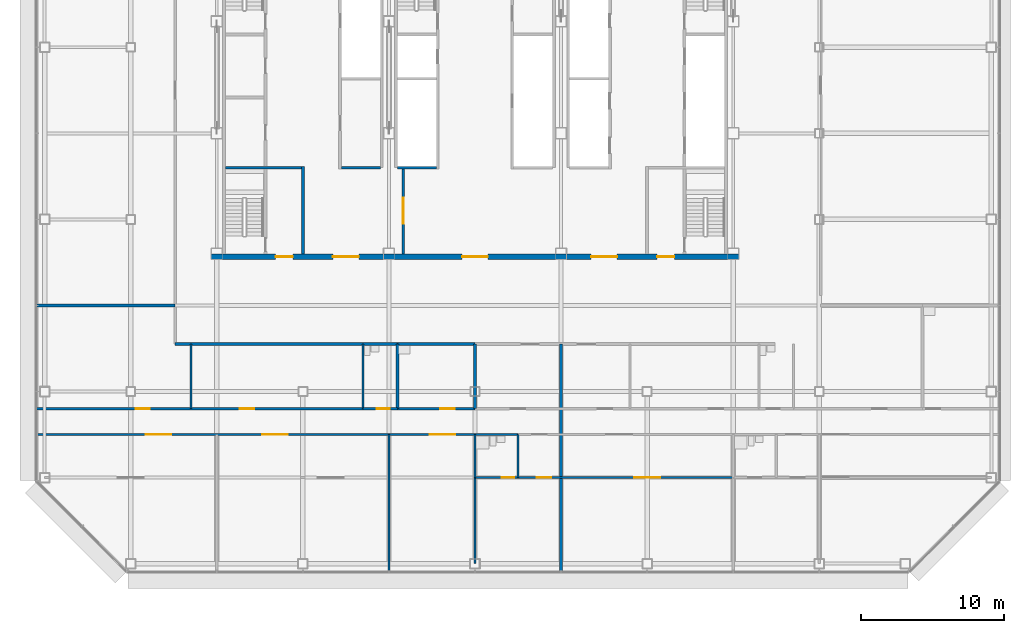
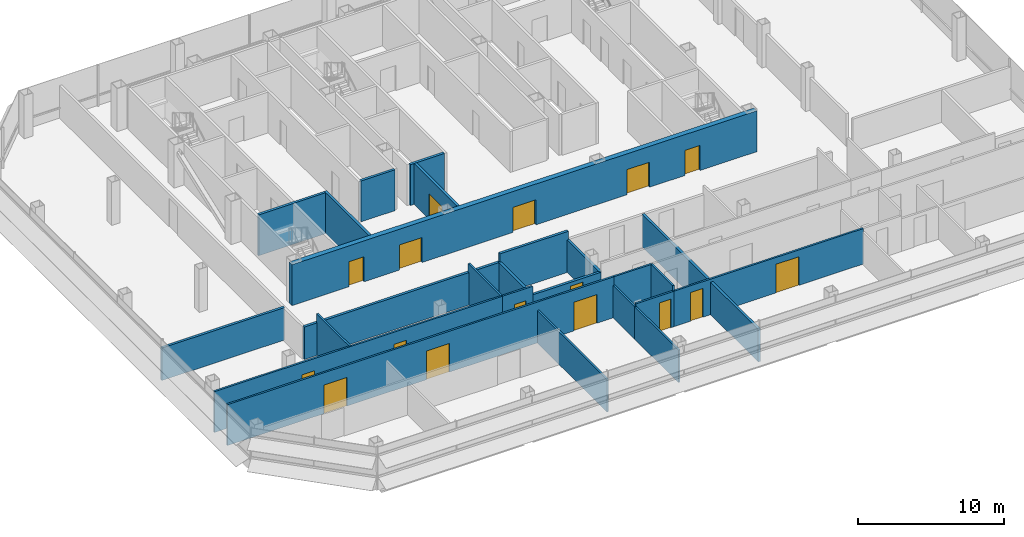
# One storey, part 19 of 24: 25 walls, 16 doors, 16 openings.
"""IFC4 building model written with IfcOpenShell, lengths in metres."""

from ifc_helpers import new_model, si_unit, direction, frame, frame_2d, origin, place, context, subcontext, project, spatial, rectangle, extrude, material, layer, layer_set, type_object, element, fill, save


model = new_model("IFC4")

# Units and contexts
model_context = context("Model", 3, precision=1e-05, world=origin(), true_north=direction((0.0, 1.0)))
body_context = subcontext(model_context, "Body", "Model", "MODEL_VIEW")
ifc_project = project(units=[si_unit("LENGTHUNIT", "METRE"), si_unit("AREAUNIT", "SQUARE_METRE"), si_unit("VOLUMEUNIT", "CUBIC_METRE"), si_unit("PLANEANGLEUNIT", "RADIAN"), si_unit("MASSUNIT", "GRAM", prefix="KILO")], contexts=[model_context])

# Site, building, storey
site_placement = place(None, origin())
site = spatial("IfcSite", under=ifc_project, at=site_placement, CompositionType="ELEMENT")
building_placement = place(site_placement, origin())
building = spatial("IfcBuilding", under=site, at=building_placement, Name="Sorahane Residences", CompositionType="ELEMENT")
storey_placement = place(building_placement, frame((0.0, 0.0, 174.39990234375)))
storey = spatial("IfcBuildingStorey", under=building, at=storey_placement, Name="L40", CompositionType="ELEMENT", Elevation=174.39990234375)

# Walls
ifc_material_1 = material(Name="Concrete blockwork C20 wall", Category="masonry")
ifc_layer_1 = layer(ifc_material_1, 0.199951171875)
ifc_layer_set_1 = layer_set([ifc_layer_1], Name="Corridor wall 200 EI 120")
wall_type_1 = type_object("IfcWallType", Name="Corridor wall 200 EI 120", PredefinedType="SOLIDWALL", material=ifc_layer_set_1)
wall_1_placement = place(storey_placement, frame((3.10009765625, 15.300048828125, 0.0), z_axis=(0.0, 0.0, 1.0), x_axis=(1.0, 0.0, 0.0)))
element("IfcWall", 1, at=wall_1_placement, inside=storey, type_object=wall_type_1, Name="L40 corridor wall", PredefinedType="SOLIDWALL", context=body_context, shape_type="SweptSolid", body=[
    extrude(rectangle(XDim=15.5, YDim=0.199951171875, at=frame_2d((7.75, 0.0))), origin(), (0.0, 0.0, 1.0), 2.72021484375),
])
wall_2_placement = place(storey_placement, frame((-6.60009765625, 18.0, 0.0), z_axis=(0.0, 0.0, 1.0), x_axis=(1.0, 0.0, 0.0)))
element("IfcWall", 2, at=wall_2_placement, inside=storey, type_object=wall_type_1, Name="L40 corridor wall", PredefinedType="SOLIDWALL", context=body_context, shape_type="SweptSolid", body=[
    extrude(rectangle(XDim=9.7001953125, YDim=0.199951171875, at=frame_2d((4.85009765625, 0.0))), origin(), (0.0, 0.0, 1.0), 2.72021484375),
])
ifc_material_2 = material(Name="Concrete C30", Category="concrete")
ifc_layer_2 = layer(ifc_material_2, 0.199951171875)
ifc_layer_set_2 = layer_set([ifc_layer_2], Name="Front room wall 200 EI 120")
wall_type_2 = type_object("IfcWallType", Name="Front room wall 200 EI 120", PredefinedType="PARTITIONING", material=ifc_layer_set_2)
wall_3_placement = place(storey_placement, frame((12.0, 21.60009765625, 0.0), z_axis=(0.0, 0.0, 1.0), x_axis=(0.0, 1.0, 0.0)))
element("IfcWall", 3, at=wall_3_placement, inside=storey, type_object=wall_type_2, Name="L40 front room wall", PredefinedType="PARTITIONING", context=body_context, shape_type="SweptSolid", body=[
    extrude(rectangle(XDim=6.099853515625, YDim=0.199951171875, at=frame_2d((3.0498046875, 0.0))), origin(), (0.0, 0.0, 1.0), 3.420166015625),
])
ifc_material_3 = material(Name="Concrete blockwork C20 wall", Category="masonry")
ifc_layer_3 = layer(ifc_material_3, 0.199951171875)
ifc_layer_set_3 = layer_set([ifc_layer_3], Name="Kitchen wall 200 EI 180")
wall_type_3 = type_object("IfcWallType", Name="Kitchen wall 200 EI 180", PredefinedType="SOLIDWALL", material=ifc_layer_set_3)
for number, where, z_axis, x_axis, name in (
    (4, (18.60009765625, 10.800048828125, 0.0), (0.0, 0.0, 1.0), (0.0, 1.0, 0.0), "L40 kitchen wall"),
    (5, (24.0, 10.800048828125, 0.0), (0.0, 0.0, 1.0), (0.0, 1.0, 0.0), "L40 kitchen wall"),
):
    element("IfcWall", number, at=place(storey_placement, frame(where, z_axis=z_axis, x_axis=x_axis)), inside=storey, type_object=wall_type_3, Name=name, PredefinedType="SOLIDWALL", context=body_context, shape_type="SweptSolid", body=[
        extrude(rectangle(XDim=4.5, YDim=0.199951171875, at=frame_2d((2.25, 0.0))), origin(), (0.0, 0.0, 1.0), 2.72021484375),
    ])

# Wall, opening, door
wall_4_placement = place(storey_placement, frame((18.60009765625, 10.800048828125, 0.0), z_axis=(0.0, 0.0, 1.0), x_axis=(1.0, 0.0, 0.0)))
wall_4 = element("IfcWall", 6, at=wall_4_placement, inside=storey, type_object=wall_type_3, Name="L40 kitchen wall", PredefinedType="SOLIDWALL", context=body_context, shape_type="SweptSolid", body=[
    extrude(rectangle(XDim=5.39990234375, YDim=0.199951171875, at=frame_2d((2.699951171875, 0.0))), origin(), (0.0, 0.0, 1.0), 2.72021484375),
])
opening_1_placement = place(wall_4_placement, frame((2.97998046875, 0.0, 0.0)))
opening_1 = element("IfcOpeningElement", 7, at=opening_1_placement, cuts=wall_4, Name="Opening L40-05", PredefinedType="OPENING", context=body_context, shape_type="SweptSolid", body=[
    extrude(rectangle(XDim=1.0, YDim=2.39990234375, at=frame_2d((0.5, 1.199951171875))), frame((0.0, 0.10986328125, 0.0), z_axis=(0.0, -1.0, 0.0), x_axis=(1.0, 0.0, 0.0)), (0.0, 0.0, 1.0), 0.219970703125),
])
ifc_material_4 = material(Name="Steel", Category="steel")
door_type_1 = type_object("IfcDoorType", Name="Kitchen door 1000x2400 FD120", OperationType="NOTDEFINED", PredefinedType="DOOR", material=ifc_material_4)
door_1_placement = place(opening_1_placement, origin())
door_1 = element("IfcDoor", 8, at=door_1_placement, inside=storey, type_object=door_type_1, Name="Kitchen door L40-05", OperationType="SINGLE_SWING_RIGHT", OverallHeight=2.39990234375, OverallWidth=1.0, PredefinedType="DOOR", context=body_context, shape_type="SweptSolid", body=[
    extrude(rectangle(XDim=1.0, YDim=2.39990234375, at=frame_2d((0.5, 1.199951171875))), frame((0.0, 0.02490234375, 0.0), z_axis=(0.0, -1.0, 0.0), x_axis=(1.0, 0.0, 0.0)), (0.0, 0.0, 1.0), 0.050048828125),
])
fill(opening_1, door_1)

# Walls
wall_5_placement = place(storey_placement, frame((18.60009765625, 15.300048828125, 0.0), z_axis=(0.0, 0.0, 1.0), x_axis=(1.0, 0.0, 0.0)))
element("IfcWall", 9, at=wall_5_placement, inside=storey, type_object=wall_type_3, Name="L40 kitchen wall", PredefinedType="SOLIDWALL", context=body_context, shape_type="SweptSolid", body=[
    extrude(rectangle(XDim=5.39990234375, YDim=0.199951171875, at=frame_2d((2.699951171875, 0.0))), origin(), (0.0, 0.0, 1.0), 3.420166015625),
])
ifc_material_5 = material(Name="Concrete C30", Category="concrete")
ifc_layer_4 = layer(ifc_material_5, 0.199951171875)
ifc_layer_set_4 = layer_set([ifc_layer_4], Name="Lift shaft wall 200 EI 120")
wall_type_4 = type_object("IfcWallType", Name="Lift shaft wall 200 EI 120", PredefinedType="SOLIDWALL", material=ifc_layer_set_4)
wall_6_placement = place(storey_placement, frame((18.60009765625, 27.60009765625, 0.0), z_axis=(0.0, 0.0, 1.0), x_axis=(1.0, 0.0, 0.0)))
element("IfcWall", 10, at=wall_6_placement, inside=storey, type_object=wall_type_4, Name="L40 lift shaft wall", PredefinedType="SOLIDWALL", context=body_context, shape_type="SweptSolid", body=[
    extrude(rectangle(XDim=2.699951171875, YDim=0.199951171875, at=frame_2d((1.35009765625, 0.0))), origin(), (0.0, 0.0, 1.0), 3.420166015625),
])
ifc_material_6 = material(Name="Gypsum board partition on steel studs", Category="steel")
ifc_layer_5 = layer(ifc_material_6, 0.14990234375)
ifc_layer_set_5 = layer_set([ifc_layer_5], Name="Partition 150 EI 90")
wall_type_5 = type_object("IfcWallType", Name="Partition 150 EI 90", PredefinedType="PARTITIONING", material=ifc_layer_set_5)
wall_7_placement = place(storey_placement, frame((18.0, -0.60009765625, 0.0), z_axis=(0.0, 0.0, 1.0), x_axis=(0.0, 1.0, 0.0)))
element("IfcWall", 11, at=wall_7_placement, inside=storey, type_object=wall_type_5, Name="L40 partition", PredefinedType="PARTITIONING", context=body_context, shape_type="SweptSolid", body=[
    extrude(rectangle(XDim=9.60009765625, YDim=0.14990234375, at=frame_2d((4.800048828125, 0.0))), origin(), (0.0, 0.0, 1.0), 2.72021484375),
])
wall_8_placement = place(storey_placement, frame((24.0, 0.0, 0.0), z_axis=(0.0, 0.0, 1.0), x_axis=(0.0, 1.0, 0.0)))
element("IfcWall", 12, at=wall_8_placement, inside=storey, type_object=wall_type_5, Name="L40 partition", PredefinedType="PARTITIONING", context=body_context, shape_type="SweptSolid", body=[
    extrude(rectangle(XDim=6.0, YDim=0.14990234375, at=frame_2d((3.0, 0.0))), origin(), (0.0, 0.0, 1.0), 2.72021484375),
])
wall_9_placement = place(storey_placement, frame((4.199951171875, 10.800048828125, 0.0), z_axis=(0.0, 0.0, 1.0), x_axis=(0.0, 1.0, 0.0)))
element("IfcWall", 13, at=wall_9_placement, inside=storey, type_object=wall_type_5, Name="L40 partition", PredefinedType="PARTITIONING", context=body_context, shape_type="SweptSolid", body=[
    extrude(rectangle(XDim=4.5, YDim=0.14990234375, at=frame_2d((2.25, 0.0))), origin(), (0.0, 0.0, 1.0), 3.420166015625),
])

# Wall, openings, doors
wall_10_placement = place(storey_placement, frame((-6.60009765625, 10.800048828125, 0.0), z_axis=(0.0, 0.0, 1.0), x_axis=(1.0, 0.0, 0.0)))
wall_10 = element("IfcWall", 14, at=wall_10_placement, inside=storey, type_object=wall_type_5, Name="L40 partition", PredefinedType="PARTITIONING", context=body_context, shape_type="SweptSolid", body=[
    extrude(rectangle(XDim=22.800048828125, YDim=0.14990234375, at=frame_2d((11.39990234375, 0.0))), origin(), (0.0, 0.0, 1.0), 3.420166015625),
])
opening_2_placement = place(wall_10_placement, frame((6.93994140625, 0.0, 0.0)))
opening_2 = element("IfcOpeningElement", 15, at=opening_2_placement, cuts=wall_10, Name="Opening L40-02", PredefinedType="OPENING", context=body_context, shape_type="SweptSolid", body=[
    extrude(rectangle(XDim=1.0, YDim=2.39990234375, at=frame_2d((0.5, 1.199951171875))), frame((0.0, 0.0849609375, 0.0), z_axis=(0.0, -1.0, 0.0), x_axis=(1.0, 0.0, 0.0)), (0.0, 0.0, 1.0), 0.169921875),
])
opening_3_placement = place(wall_10_placement, frame((14.199951171875, 0.0, 0.0)))
opening_3 = element("IfcOpeningElement", 16, at=opening_3_placement, cuts=wall_10, Name="Opening L40-03", PredefinedType="OPENING", context=body_context, shape_type="SweptSolid", body=[
    extrude(rectangle(XDim=1.0, YDim=2.39990234375, at=frame_2d((0.5, 1.199951171875))), frame((0.0, 0.0849609375, 0.0), z_axis=(0.0, -1.0, 0.0), x_axis=(1.0, 0.0, 0.0)), (0.0, 0.0, 1.0), 0.169921875),
])
ifc_material_7 = material(Name="Timber veneered fire door", Category="wood")
door_type_2 = type_object("IfcDoorType", Name="Room door 1000x2400 FD30", OperationType="NOTDEFINED", PredefinedType="DOOR", material=ifc_material_7)
door_2_placement = place(opening_2_placement, origin())
door_2 = element("IfcDoor", 17, at=door_2_placement, inside=storey, type_object=door_type_2, Name="Room door L40-02", OperationType="SINGLE_SWING_RIGHT", OverallHeight=2.39990234375, OverallWidth=1.0, PredefinedType="DOOR", context=body_context, shape_type="SweptSolid", body=[
    extrude(rectangle(XDim=1.0, YDim=2.39990234375, at=frame_2d((0.5, 1.199951171875))), frame((0.0, 0.02490234375, 0.0), z_axis=(0.0, -1.0, 0.0), x_axis=(1.0, 0.0, 0.0)), (0.0, 0.0, 1.0), 0.050048828125),
])
fill(opening_2, door_2)
door_3_placement = place(opening_3_placement, origin())
door_3 = element("IfcDoor", 18, at=door_3_placement, inside=storey, type_object=door_type_2, Name="Room door L40-03", OperationType="SINGLE_SWING_LEFT", OverallHeight=2.39990234375, OverallWidth=1.0, PredefinedType="DOOR", context=body_context, shape_type="SweptSolid", body=[
    extrude(rectangle(XDim=1.0, YDim=2.39990234375, at=frame_2d((0.5, 1.199951171875))), frame((0.0, 0.02490234375, 0.0), z_axis=(0.0, -1.0, 0.0), x_axis=(1.0, 0.0, 0.0)), (0.0, 0.0, 1.0), 0.050048828125),
])
fill(opening_3, door_3)

wall_11_placement = place(storey_placement, frame((27.0, 6.0, 0.0), z_axis=(0.0, 0.0, 1.0), x_axis=(1.0, 0.0, 0.0)))
wall_11 = element("IfcWall", 19, at=wall_11_placement, inside=storey, type_object=wall_type_5, Name="L40 partition", PredefinedType="PARTITIONING", context=body_context, shape_type="SweptSolid", body=[
    extrude(rectangle(XDim=15.0, YDim=0.14990234375, at=frame_2d((7.5, 0.0))), origin(), (0.0, 0.0, 1.0), 2.97021484375),
])
opening_4_placement = place(wall_11_placement, frame((1.300048828125, 0.0, 0.0)))
opening_4 = element("IfcOpeningElement", 20, at=opening_4_placement, cuts=wall_11, Name="Opening L40-12", PredefinedType="OPENING", context=body_context, shape_type="SweptSolid", body=[
    extrude(rectangle(XDim=1.0, YDim=2.39990234375, at=frame_2d((0.5, 1.199951171875))), frame((0.0, 0.0849609375, 0.0), z_axis=(0.0, -1.0, 0.0), x_axis=(1.0, 0.0, 0.0)), (0.0, 0.0, 1.0), 0.169921875),
])
opening_5_placement = place(wall_11_placement, frame((8.10009765625, 0.0, 0.0)))
opening_5 = element("IfcOpeningElement", 21, at=opening_5_placement, cuts=wall_11, Name="Opening L40-22", PredefinedType="OPENING", context=body_context, shape_type="SweptSolid", body=[
    extrude(rectangle(XDim=1.800048828125, YDim=2.39990234375, at=frame_2d((0.89990234375, 1.199951171875))), frame((0.0, 0.0849609375, 0.0), z_axis=(0.0, -1.0, 0.0), x_axis=(1.0, 0.0, 0.0)), (0.0, 0.0, 1.0), 0.169921875),
])
ifc_material_8 = material(Name="Timber veneered fire door", Category="wood")
door_type_3 = type_object("IfcDoorType", Name="Double door 1800x2400 FD30", OperationType="NOTDEFINED", PredefinedType="DOOR", material=ifc_material_8)
door_4_placement = place(opening_5_placement, frame((1.800048828125, 0.0, 0.0), z_axis=(0.0, 0.0, 1.0), x_axis=(-1.0, 0.0, 0.0)))
door_4 = element("IfcDoor", 22, at=door_4_placement, inside=storey, type_object=door_type_3, Name="Double door L40-22", OperationType="SINGLE_SWING_RIGHT", OverallHeight=2.39990234375, OverallWidth=1.800048828125, PredefinedType="DOOR", context=body_context, shape_type="SweptSolid", body=[
    extrude(rectangle(XDim=1.800048828125, YDim=2.39990234375, at=frame_2d((0.89990234375, 1.199951171875))), frame((0.0, 0.02490234375, 0.0), z_axis=(0.0, -1.0, 0.0), x_axis=(1.0, 0.0, 0.0)), (0.0, 0.0, 1.0), 0.050048828125),
])
fill(opening_5, door_4)
door_5_placement = place(opening_4_placement, frame((1.0, 0.0, 0.0), z_axis=(0.0, 0.0, 1.0), x_axis=(-1.0, 0.0, 0.0)))
door_5 = element("IfcDoor", 23, at=door_5_placement, inside=storey, type_object=door_type_2, Name="Room door L40-12", OperationType="SINGLE_SWING_RIGHT", OverallHeight=2.39990234375, OverallWidth=1.0, PredefinedType="DOOR", context=body_context, shape_type="SweptSolid", body=[
    extrude(rectangle(XDim=1.0, YDim=2.39990234375, at=frame_2d((0.5, 1.199951171875))), frame((0.0, 0.02490234375, 0.0), z_axis=(0.0, -1.0, 0.0), x_axis=(1.0, 0.0, 0.0)), (0.0, 0.0, 1.0), 0.050048828125),
])
fill(opening_4, door_5)

wall_12_placement = place(storey_placement, frame((-6.60009765625, 9.0, 0.0), z_axis=(0.0, 0.0, 1.0), x_axis=(1.0, 0.0, 0.0)))
wall_12 = element("IfcWall", 24, at=wall_12_placement, inside=storey, type_object=wall_type_5, Name="L40 partition", PredefinedType="PARTITIONING", context=body_context, shape_type="SweptSolid", body=[
    extrude(rectangle(XDim=30.60009765625, YDim=0.14990234375, at=frame_2d((15.300048828125, 0.0))), origin(), (0.0, 0.0, 1.0), 3.420166015625),
])
opening_6_placement = place(wall_12_placement, frame((7.639892578125, 0.0, 0.0)))
opening_6 = element("IfcOpeningElement", 25, at=opening_6_placement, cuts=wall_12, Name="Opening L40-06", PredefinedType="OPENING", context=body_context, shape_type="SweptSolid", body=[
    extrude(rectangle(XDim=1.800048828125, YDim=2.39990234375, at=frame_2d((0.89990234375, 1.199951171875))), frame((0.0, 0.0849609375, 0.0), z_axis=(0.0, -1.0, 0.0), x_axis=(1.0, 0.0, 0.0)), (0.0, 0.0, 1.0), 0.169921875),
])
opening_7_placement = place(wall_12_placement, frame((15.760009765625, 0.0, 0.0)))
opening_7 = element("IfcOpeningElement", 26, at=opening_7_placement, cuts=wall_12, Name="Opening L40-07", PredefinedType="OPENING", context=body_context, shape_type="SweptSolid", body=[
    extrude(rectangle(XDim=1.800048828125, YDim=2.39990234375, at=frame_2d((0.89990234375, 1.199951171875))), frame((0.0, 0.0849609375, 0.0), z_axis=(0.0, -1.0, 0.0), x_axis=(1.0, 0.0, 0.0)), (0.0, 0.0, 1.0), 0.169921875),
])
opening_8_placement = place(wall_12_placement, frame((27.43994140625, 0.0, 0.0)))
opening_8 = element("IfcOpeningElement", 27, at=opening_8_placement, cuts=wall_12, Name="Opening L40-08", PredefinedType="OPENING", context=body_context, shape_type="SweptSolid", body=[
    extrude(rectangle(XDim=1.800048828125, YDim=2.39990234375, at=frame_2d((0.89990234375, 1.199951171875))), frame((0.0, 0.0849609375, 0.0), z_axis=(0.0, -1.0, 0.0), x_axis=(1.0, 0.0, 0.0)), (0.0, 0.0, 1.0), 0.169921875),
])
door_6_placement = place(opening_6_placement, frame((1.800048828125, 0.0, 0.0), z_axis=(0.0, 0.0, 1.0), x_axis=(-1.0, 0.0, 0.0)))
door_6 = element("IfcDoor", 28, at=door_6_placement, inside=storey, type_object=door_type_3, Name="Double door L40-06", OperationType="SINGLE_SWING_RIGHT", OverallHeight=2.39990234375, OverallWidth=1.800048828125, PredefinedType="DOOR", context=body_context, shape_type="SweptSolid", body=[
    extrude(rectangle(XDim=1.800048828125, YDim=2.39990234375, at=frame_2d((0.89990234375, 1.199951171875))), frame((0.0, 0.02490234375, 0.0), z_axis=(0.0, -1.0, 0.0), x_axis=(1.0, 0.0, 0.0)), (0.0, 0.0, 1.0), 0.050048828125),
])
fill(opening_6, door_6)
door_7_placement = place(opening_7_placement, frame((1.800048828125, 0.0, 0.0), z_axis=(0.0, 0.0, 1.0), x_axis=(-1.0, 0.0, 0.0)))
door_7 = element("IfcDoor", 29, at=door_7_placement, inside=storey, type_object=door_type_3, Name="Double door L40-07", OperationType="SINGLE_SWING_RIGHT", OverallHeight=2.39990234375, OverallWidth=1.800048828125, PredefinedType="DOOR", context=body_context, shape_type="SweptSolid", body=[
    extrude(rectangle(XDim=1.800048828125, YDim=2.39990234375, at=frame_2d((0.89990234375, 1.199951171875))), frame((0.0, 0.02490234375, 0.0), z_axis=(0.0, -1.0, 0.0), x_axis=(1.0, 0.0, 0.0)), (0.0, 0.0, 1.0), 0.050048828125),
])
fill(opening_7, door_7)
door_8_placement = place(opening_8_placement, frame((1.800048828125, 0.0, 0.0), z_axis=(0.0, 0.0, 1.0), x_axis=(-1.0, 0.0, 0.0)))
door_8 = element("IfcDoor", 30, at=door_8_placement, inside=storey, type_object=door_type_3, Name="Double door L40-08", OperationType="SINGLE_SWING_LEFT", OverallHeight=2.39990234375, OverallWidth=1.800048828125, PredefinedType="DOOR", context=body_context, shape_type="SweptSolid", body=[
    extrude(rectangle(XDim=1.800048828125, YDim=2.39990234375, at=frame_2d((0.89990234375, 1.199951171875))), frame((0.0, 0.02490234375, 0.0), z_axis=(0.0, -1.0, 0.0), x_axis=(1.0, 0.0, 0.0)), (0.0, 0.0, 1.0), 0.050048828125),
])
fill(opening_8, door_8)

# Wall
ifc_material_9 = material(Name="Concrete blockwork C20 wall", Category="masonry")
ifc_layer_6 = layer(ifc_material_9, 0.199951171875)
ifc_layer_set_6 = layer_set([ifc_layer_6], Name="Party wall 200 EI 120")
wall_type_6 = type_object("IfcWallType", Name="Party wall 200 EI 120", PredefinedType="SOLIDWALL", material=ifc_layer_set_6)
wall_13_placement = place(storey_placement, frame((30.0, -0.60009765625, 0.0), z_axis=(0.0, 0.0, 1.0), x_axis=(0.0, 1.0, 0.0)))
element("IfcWall", 31, at=wall_13_placement, inside=storey, type_object=wall_type_6, Name="L40 party wall", PredefinedType="SOLIDWALL", context=body_context, shape_type="SweptSolid", body=[
    extrude(rectangle(XDim=15.900146484375, YDim=0.199951171875, at=frame_2d((7.9501953125, 0.0))), origin(), (0.0, 0.0, 1.0), 2.72021484375),
])

# Wall, opening, door
ifc_material_10 = material(Name="Concrete C30", Category="concrete")
ifc_layer_7 = layer(ifc_material_10, 0.199951171875)
ifc_layer_set_7 = layer_set([ifc_layer_7], Name="Service room partition 200 EI 60")
wall_type_7 = type_object("IfcWallType", Name="Service room partition 200 EI 60", PredefinedType="PARTITIONING", material=ifc_layer_set_7)
wall_14_placement = place(storey_placement, frame((19.0, 21.60009765625, 0.0), z_axis=(0.0, 0.0, 1.0), x_axis=(0.0, 1.0, 0.0)))
wall_14 = element("IfcWall", 32, at=wall_14_placement, inside=storey, type_object=wall_type_7, Name="L40 service room wall", PredefinedType="PARTITIONING", context=body_context, shape_type="SweptSolid", body=[
    extrude(rectangle(XDim=6.0, YDim=0.199951171875, at=frame_2d((3.0, 0.0))), origin(), (0.0, 0.0, 1.0), 3.420166015625),
])
opening_9_placement = place(wall_14_placement, frame((2.10009765625, 0.0, 0.0)))
opening_9 = element("IfcOpeningElement", 33, at=opening_9_placement, cuts=wall_14, Name="Opening L40-C02", PredefinedType="OPENING", context=body_context, shape_type="SweptSolid", body=[
    extrude(rectangle(XDim=1.800048828125, YDim=2.10009765625, at=frame_2d((0.89990234375, 1.050048828125))), frame((0.0, 0.10986328125, 0.0), z_axis=(0.0, -1.0, 0.0), x_axis=(1.0, 0.0, 0.0)), (0.0, 0.0, 1.0), 0.219970703125),
])
ifc_material_11 = material(Name="Steel", Category="steel")
door_type_4 = type_object("IfcDoorType", Name="Waiting hall door 1800x2100 FD60", OperationType="NOTDEFINED", PredefinedType="DOOR", material=ifc_material_11)
door_9_placement = place(opening_9_placement, origin())
door_9 = element("IfcDoor", 34, at=door_9_placement, inside=storey, type_object=door_type_4, Name="Waiting hall door Residents' waiting hall west L40", OperationType="SINGLE_SWING_LEFT", OverallHeight=2.10009765625, OverallWidth=1.800048828125, PredefinedType="DOOR", context=body_context, shape_type="SweptSolid", body=[
    extrude(rectangle(XDim=1.800048828125, YDim=2.10009765625, at=frame_2d((0.89990234375, 1.050048828125))), frame((0.0, 0.02490234375, 0.0), z_axis=(0.0, -1.0, 0.0), x_axis=(1.0, 0.0, 0.0)), (0.0, 0.0, 1.0), 0.050048828125),
])
fill(opening_9, door_9)

# Walls
wall_15_placement = place(storey_placement, frame((14.699951171875, 27.60009765625, 0.0), z_axis=(0.0, 0.0, 1.0), x_axis=(1.0, 0.0, 0.0)))
element("IfcWall", 35, at=wall_15_placement, inside=storey, type_object=wall_type_7, Name="L40 service room wall", PredefinedType="PARTITIONING", context=body_context, shape_type="SweptSolid", body=[
    extrude(rectangle(XDim=2.699951171875, YDim=0.199951171875, at=frame_2d((1.35009765625, 0.0))), origin(), (0.0, 0.0, 1.0), 3.420166015625),
])
ifc_material_12 = material(Name="Concrete C30", Category="concrete")
ifc_layer_8 = layer(ifc_material_12, 0.199951171875)
ifc_layer_set_8 = layer_set([ifc_layer_8], Name="Stair enclosure wall 200 EI 120")
wall_type_8 = type_object("IfcWallType", Name="Stair enclosure wall 200 EI 120", PredefinedType="SOLIDWALL", material=ifc_layer_set_8)
wall_16_placement = place(storey_placement, frame((6.60009765625, 27.60009765625, 0.0), z_axis=(0.0, 0.0, 1.0), x_axis=(1.0, 0.0, 0.0)))
element("IfcWall", 36, at=wall_16_placement, inside=storey, type_object=wall_type_8, Name="L40 stair enclosure wall", PredefinedType="SOLIDWALL", context=body_context, shape_type="SweptSolid", body=[
    extrude(rectangle(XDim=5.2998046875, YDim=0.199951171875, at=frame_2d((2.64990234375, 0.0))), origin(), (0.0, 0.0, 1.0), 3.420166015625),
])

# Wall, openings, doors
ifc_material_13 = material(Name="Concrete C30", Category="concrete")
ifc_layer_9 = layer(ifc_material_13, 0.39990234375)
ifc_layer_set_9 = layer_set([ifc_layer_9], Name="Waiting hall wall 400 EI 120")
wall_type_9 = type_object("IfcWallType", Name="Waiting hall wall 400 EI 120", PredefinedType="SOLIDWALL", material=ifc_layer_set_9)
wall_17_placement = place(storey_placement, frame((5.60009765625, 21.39990234375, 0.0), z_axis=(0.0, 0.0, 1.0), x_axis=(1.0, 0.0, 0.0)))
wall_17 = element("IfcWall", 37, at=wall_17_placement, inside=storey, type_object=wall_type_9, Name="L40 waiting hall wall", PredefinedType="SOLIDWALL", context=body_context, shape_type="SweptSolid", body=[
    extrude(rectangle(XDim=36.7998046875, YDim=0.39990234375, at=frame_2d((18.39990234375, 0.0))), origin(), (0.0, 0.0, 1.0), 3.420166015625),
])
opening_10_placement = place(wall_17_placement, frame((8.5, 0.0, 0.0)))
opening_10 = element("IfcOpeningElement", 38, at=opening_10_placement, cuts=wall_17, Name="Opening L40-C01", PredefinedType="OPENING", context=body_context, shape_type="SweptSolid", body=[
    extrude(rectangle(XDim=1.800048828125, YDim=2.10009765625, at=frame_2d((0.89990234375, 1.050048828125))), frame((0.0, 0.2099609375, 0.0), z_axis=(0.0, -1.0, 0.0), x_axis=(1.0, 0.0, 0.0)), (0.0, 0.0, 1.0), 0.419921875),
])
opening_11_placement = place(wall_17_placement, frame((17.5, 0.0, 0.0)))
opening_11 = element("IfcOpeningElement", 39, at=opening_11_placement, cuts=wall_17, Name="Opening L40-C03", PredefinedType="OPENING", context=body_context, shape_type="SweptSolid", body=[
    extrude(rectangle(XDim=1.800048828125, YDim=2.10009765625, at=frame_2d((0.89990234375, 1.050048828125))), frame((0.0, 0.2099609375, 0.0), z_axis=(0.0, -1.0, 0.0), x_axis=(1.0, 0.0, 0.0)), (0.0, 0.0, 1.0), 0.419921875),
])
opening_12_placement = place(wall_17_placement, frame((26.5, 0.0, 0.0)))
opening_12 = element("IfcOpeningElement", 40, at=opening_12_placement, cuts=wall_17, Name="Opening L40-C04", PredefinedType="OPENING", context=body_context, shape_type="SweptSolid", body=[
    extrude(rectangle(XDim=1.800048828125, YDim=2.10009765625, at=frame_2d((0.89990234375, 1.050048828125))), frame((0.0, 0.2099609375, 0.0), z_axis=(0.0, -1.0, 0.0), x_axis=(1.0, 0.0, 0.0)), (0.0, 0.0, 1.0), 0.419921875),
])
opening_13_placement = place(wall_17_placement, frame((4.5, 0.0, 0.0)))
opening_13 = element("IfcOpeningElement", 41, at=opening_13_placement, cuts=wall_17, Name="Opening L40-C05", PredefinedType="OPENING", context=body_context, shape_type="SweptSolid", body=[
    extrude(rectangle(XDim=1.199951171875, YDim=2.10009765625, at=frame_2d((0.60009765625, 1.050048828125))), frame((0.0, 0.2099609375, 0.0), z_axis=(0.0, -1.0, 0.0), x_axis=(1.0, 0.0, 0.0)), (0.0, 0.0, 1.0), 0.419921875),
])
opening_14_placement = place(wall_17_placement, frame((31.10009765625, 0.0, 0.0)))
opening_14 = element("IfcOpeningElement", 42, at=opening_14_placement, cuts=wall_17, Name="Opening L40-C06", PredefinedType="OPENING", context=body_context, shape_type="SweptSolid", body=[
    extrude(rectangle(XDim=1.199951171875, YDim=2.10009765625, at=frame_2d((0.60009765625, 1.050048828125))), frame((0.0, 0.2099609375, 0.0), z_axis=(0.0, -1.0, 0.0), x_axis=(1.0, 0.0, 0.0)), (0.0, 0.0, 1.0), 0.419921875),
])
ifc_material_14 = material(Name="Steel", Category="steel")
door_type_5 = type_object("IfcDoorType", Name="Stair front room door 1200x2100 FD120", OperationType="NOTDEFINED", PredefinedType="DOOR", material=ifc_material_14)
door_10_placement = place(opening_13_placement, frame((1.199951171875, 0.0, 0.0), z_axis=(0.0, 0.0, 1.0), x_axis=(-1.0, 0.0, 0.0)))
door_10 = element("IfcDoor", 43, at=door_10_placement, inside=storey, type_object=door_type_5, Name="Stair front room door Stair S4 front room L40", OperationType="SINGLE_SWING_LEFT", OverallHeight=2.10009765625, OverallWidth=1.199951171875, PredefinedType="DOOR", context=body_context, shape_type="SweptSolid", body=[
    extrude(rectangle(XDim=1.199951171875, YDim=2.10009765625, at=frame_2d((0.60009765625, 1.050048828125))), frame((0.0, 0.02490234375, 0.0), z_axis=(0.0, -1.0, 0.0), x_axis=(1.0, 0.0, 0.0)), (0.0, 0.0, 1.0), 0.050048828125),
])
fill(opening_13, door_10)
door_11_placement = place(opening_14_placement, frame((1.199951171875, 0.0, 0.0), z_axis=(0.0, 0.0, 1.0), x_axis=(-1.0, 0.0, 0.0)))
door_11 = element("IfcDoor", 44, at=door_11_placement, inside=storey, type_object=door_type_5, Name="Stair front room door Stair S5 front room L40", OperationType="SINGLE_SWING_LEFT", OverallHeight=2.10009765625, OverallWidth=1.199951171875, PredefinedType="DOOR", context=body_context, shape_type="SweptSolid", body=[
    extrude(rectangle(XDim=1.199951171875, YDim=2.10009765625, at=frame_2d((0.60009765625, 1.050048828125))), frame((0.0, 0.02490234375, 0.0), z_axis=(0.0, -1.0, 0.0), x_axis=(1.0, 0.0, 0.0)), (0.0, 0.0, 1.0), 0.050048828125),
])
fill(opening_14, door_11)
door_12_placement = place(opening_10_placement, frame((1.800048828125, 0.0, 0.0), z_axis=(0.0, 0.0, 1.0), x_axis=(-1.0, 0.0, 0.0)))
door_12 = element("IfcDoor", 45, at=door_12_placement, inside=storey, type_object=door_type_4, Name="Waiting hall door Residents' waiting hall west L40", OperationType="SINGLE_SWING_LEFT", OverallHeight=2.10009765625, OverallWidth=1.800048828125, PredefinedType="DOOR", context=body_context, shape_type="SweptSolid", body=[
    extrude(rectangle(XDim=1.800048828125, YDim=2.10009765625, at=frame_2d((0.89990234375, 1.050048828125))), frame((0.0, 0.02490234375, 0.0), z_axis=(0.0, -1.0, 0.0), x_axis=(1.0, 0.0, 0.0)), (0.0, 0.0, 1.0), 0.050048828125),
])
fill(opening_10, door_12)
door_13_placement = place(opening_11_placement, frame((1.800048828125, 0.0, 0.0), z_axis=(0.0, 0.0, 1.0), x_axis=(-1.0, 0.0, 0.0)))
door_13 = element("IfcDoor", 46, at=door_13_placement, inside=storey, type_object=door_type_4, Name="Waiting hall door Residents' waiting hall east L40", OperationType="SINGLE_SWING_LEFT", OverallHeight=2.10009765625, OverallWidth=1.800048828125, PredefinedType="DOOR", context=body_context, shape_type="SweptSolid", body=[
    extrude(rectangle(XDim=1.800048828125, YDim=2.10009765625, at=frame_2d((0.89990234375, 1.050048828125))), frame((0.0, 0.02490234375, 0.0), z_axis=(0.0, -1.0, 0.0), x_axis=(1.0, 0.0, 0.0)), (0.0, 0.0, 1.0), 0.050048828125),
])
fill(opening_11, door_13)
door_14_placement = place(opening_12_placement, frame((1.800048828125, 0.0, 0.0), z_axis=(0.0, 0.0, 1.0), x_axis=(-1.0, 0.0, 0.0)))
door_14 = element("IfcDoor", 47, at=door_14_placement, inside=storey, type_object=door_type_4, Name="Waiting hall door Residents' waiting hall east L40", OperationType="SINGLE_SWING_LEFT", OverallHeight=2.10009765625, OverallWidth=1.800048828125, PredefinedType="DOOR", context=body_context, shape_type="SweptSolid", body=[
    extrude(rectangle(XDim=1.800048828125, YDim=2.10009765625, at=frame_2d((0.89990234375, 1.050048828125))), frame((0.0, 0.02490234375, 0.0), z_axis=(0.0, -1.0, 0.0), x_axis=(1.0, 0.0, 0.0)), (0.0, 0.0, 1.0), 0.050048828125),
])
fill(opening_12, door_14)

# Walls
ifc_material_15 = material(Name="Gypsum board partition on steel studs", Category="steel")
ifc_layer_10 = layer(ifc_material_15, 0.14990234375)
ifc_layer_set_10 = layer_set([ifc_layer_10], Name="Wet wall 150 EI 90")
wall_type_10 = type_object("IfcWallType", Name="Wet wall 150 EI 90", PredefinedType="PARTITIONING", material=ifc_layer_set_10)
wall_18_placement = place(storey_placement, frame((16.199951171875, 10.800048828125, 0.0), z_axis=(0.0, 0.0, 1.0), x_axis=(0.0, 1.0, 0.0)))
element("IfcWall", 48, at=wall_18_placement, inside=storey, type_object=wall_type_10, Name="L40 wet wall", PredefinedType="PARTITIONING", context=body_context, shape_type="SweptSolid", body=[
    extrude(rectangle(XDim=4.5, YDim=0.14990234375, at=frame_2d((2.25, 0.0))), origin(), (0.0, 0.0, 1.0), 3.420166015625),
])
wall_19_placement = place(storey_placement, frame((24.0, 6.0, 0.0), z_axis=(0.0, 0.0, 1.0), x_axis=(0.0, 1.0, 0.0)))
element("IfcWall", 49, at=wall_19_placement, inside=storey, type_object=wall_type_10, Name="L40 wet wall", PredefinedType="PARTITIONING", context=body_context, shape_type="SweptSolid", body=[
    extrude(rectangle(XDim=3.0, YDim=0.14990234375, at=frame_2d((1.5, 0.0))), origin(), (0.0, 0.0, 1.0), 2.72021484375),
])
wall_20_placement = place(storey_placement, frame((27.0, 6.0, 0.0), z_axis=(0.0, 0.0, 1.0), x_axis=(0.0, 1.0, 0.0)))
element("IfcWall", 50, at=wall_20_placement, inside=storey, type_object=wall_type_10, Name="L40 wet wall", PredefinedType="PARTITIONING", context=body_context, shape_type="SweptSolid", body=[
    extrude(rectangle(XDim=3.0, YDim=0.14990234375, at=frame_2d((1.5, 0.0))), origin(), (0.0, 0.0, 1.0), 3.420166015625),
])

# Wall, opening, door
wall_21_placement = place(storey_placement, frame((16.199951171875, 10.800048828125, 0.0), z_axis=(0.0, 0.0, 1.0), x_axis=(1.0, 0.0, 0.0)))
wall_21 = element("IfcWall", 51, at=wall_21_placement, inside=storey, type_object=wall_type_10, Name="L40 wet wall", PredefinedType="PARTITIONING", context=body_context, shape_type="SweptSolid", body=[
    extrude(rectangle(XDim=2.400146484375, YDim=0.14990234375, at=frame_2d((1.2001953125, 0.0))), origin(), (0.0, 0.0, 1.0), 3.420166015625),
])
opening_15_placement = place(wall_21_placement, frame((0.949951171875, 0.0, 0.0)))
opening_15 = element("IfcOpeningElement", 52, at=opening_15_placement, cuts=wall_21, Name="Opening L40-04", PredefinedType="OPENING", context=body_context, shape_type="SweptSolid", body=[
    extrude(rectangle(XDim=0.89990234375, YDim=2.39990234375, at=frame_2d((0.449951171875, 1.199951171875))), frame((0.0, 0.0849609375, 0.0), z_axis=(0.0, -1.0, 0.0), x_axis=(1.0, 0.0, 0.0)), (0.0, 0.0, 1.0), 0.169921875),
])
ifc_material_16 = material(Name="Timber veneered fire door", Category="wood")
door_type_6 = type_object("IfcDoorType", Name="Bathroom door 900x2400 FD30", OperationType="NOTDEFINED", PredefinedType="DOOR", material=ifc_material_16)
door_15_placement = place(opening_15_placement, frame((0.89990234375, 0.0, 0.0), z_axis=(0.0, 0.0, 1.0), x_axis=(-1.0, 0.0, 0.0)))
door_15 = element("IfcDoor", 53, at=door_15_placement, inside=storey, type_object=door_type_6, Name="Bathroom door L40-04", OperationType="SINGLE_SWING_RIGHT", OverallHeight=2.39990234375, OverallWidth=0.89990234375, PredefinedType="DOOR", context=body_context, shape_type="SweptSolid", body=[
    extrude(rectangle(XDim=0.89990234375, YDim=2.39990234375, at=frame_2d((0.449951171875, 1.199951171875))), frame((0.0, 0.02490234375, 0.0), z_axis=(0.0, -1.0, 0.0), x_axis=(1.0, 0.0, 0.0)), (0.0, 0.0, 1.0), 0.050048828125),
])
fill(opening_15, door_15)

wall_22_placement = place(storey_placement, frame((24.0, 6.0, 0.0), z_axis=(0.0, 0.0, 1.0), x_axis=(1.0, 0.0, 0.0)))
wall_22 = element("IfcWall", 54, at=wall_22_placement, inside=storey, type_object=wall_type_10, Name="L40 wet wall", PredefinedType="PARTITIONING", context=body_context, shape_type="SweptSolid", body=[
    extrude(rectangle(XDim=3.0, YDim=0.14990234375, at=frame_2d((1.5, 0.0))), origin(), (0.0, 0.0, 1.0), 2.97021484375),
])
opening_16_placement = place(wall_22_placement, frame((1.85009765625, 0.0, 0.0)))
opening_16 = element("IfcOpeningElement", 55, at=opening_16_placement, cuts=wall_22, Name="Opening L40-13", PredefinedType="OPENING", context=body_context, shape_type="SweptSolid", body=[
    extrude(rectangle(XDim=0.89990234375, YDim=2.39990234375, at=frame_2d((0.449951171875, 1.199951171875))), frame((0.0, 0.0849609375, 0.0), z_axis=(0.0, -1.0, 0.0), x_axis=(1.0, 0.0, 0.0)), (0.0, 0.0, 1.0), 0.169921875),
])
door_16_placement = place(opening_16_placement, frame((0.89990234375, 0.0, 0.0), z_axis=(0.0, 0.0, 1.0), x_axis=(-1.0, 0.0, 0.0)))
door_16 = element("IfcDoor", 56, at=door_16_placement, inside=storey, type_object=door_type_6, Name="Bathroom door L40-13", OperationType="SINGLE_SWING_RIGHT", OverallHeight=2.39990234375, OverallWidth=0.89990234375, PredefinedType="DOOR", context=body_context, shape_type="SweptSolid", body=[
    extrude(rectangle(XDim=0.89990234375, YDim=2.39990234375, at=frame_2d((0.449951171875, 1.199951171875))), frame((0.0, 0.02490234375, 0.0), z_axis=(0.0, -1.0, 0.0), x_axis=(1.0, 0.0, 0.0)), (0.0, 0.0, 1.0), 0.050048828125),
])
fill(opening_16, door_16)

# Wall
wall_23_placement = place(storey_placement, frame((24.0, 9.0, 0.0), z_axis=(0.0, 0.0, 1.0), x_axis=(1.0, 0.0, 0.0)))
element("IfcWall", 57, at=wall_23_placement, inside=storey, type_object=wall_type_10, Name="L40 wet wall", PredefinedType="PARTITIONING", context=body_context, shape_type="SweptSolid", body=[
    extrude(rectangle(XDim=3.0, YDim=0.14990234375, at=frame_2d((1.5, 0.0))), origin(), (0.0, 0.0, 1.0), 3.420166015625),
])

save(model, "model.ifc")
